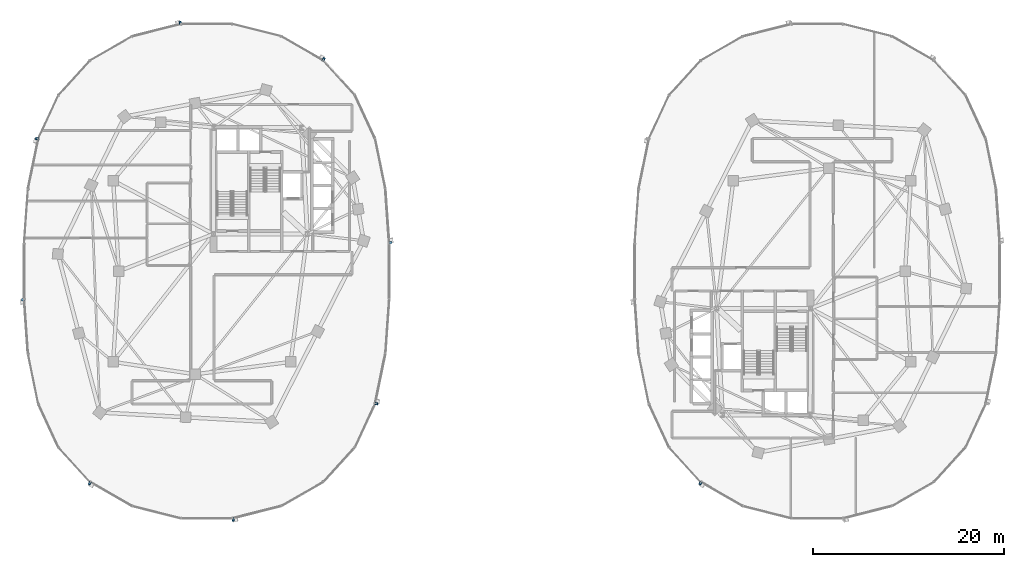
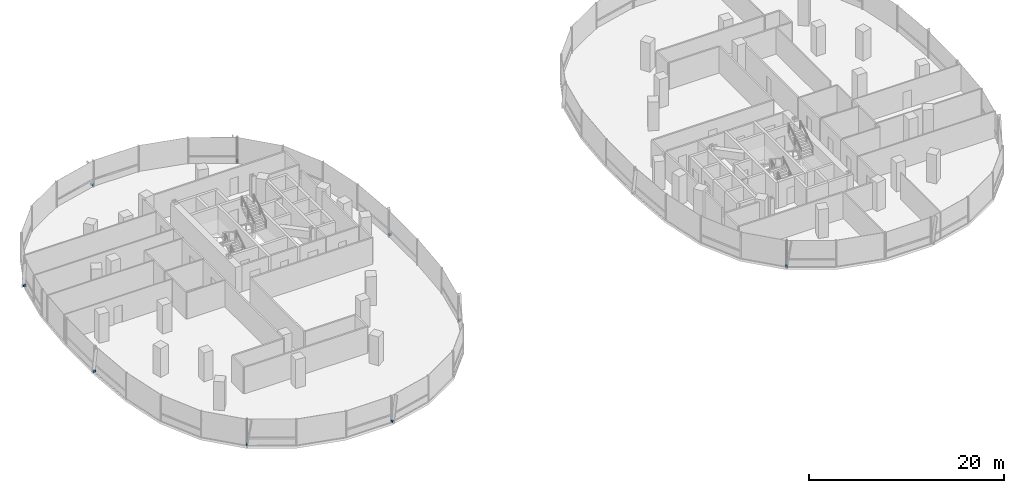
# One storey, part 15 of 21: 9 discrete accessories.
"""IFC4 building model written with IfcOpenShell, lengths in metres."""

from ifc_helpers import new_model, si_unit, direction, frame, origin, origin_2d, place, context, subcontext, project, spatial, rectangle, extrude, material, type_object, element, save


model = new_model("IFC4")

# Units and contexts
model_context = context("Model", 3, precision=1e-05, world=origin(), true_north=direction((0.0, 1.0)))
body_context = subcontext(model_context, "Body", "Model", "MODEL_VIEW")
ifc_project = project(units=[si_unit("LENGTHUNIT", "METRE"), si_unit("AREAUNIT", "SQUARE_METRE"), si_unit("VOLUMEUNIT", "CUBIC_METRE"), si_unit("PLANEANGLEUNIT", "RADIAN"), si_unit("MASSUNIT", "GRAM", prefix="KILO"), si_unit("THERMODYNAMICTEMPERATUREUNIT", "KELVIN"), si_unit("POWERUNIT", "WATT")], contexts=[model_context])

# Site, building, storey
site_placement = place(None, origin())
site = spatial("IfcSite", under=ifc_project, at=site_placement, CompositionType="ELEMENT")
building_placement = place(site_placement, origin())
building = spatial("IfcBuilding", under=site, at=building_placement, Name="Cundina Bronze Exchange", CompositionType="ELEMENT")
storey_placement = place(building_placement, frame((0.0, 0.0, 89.0)))
storey = spatial("IfcBuildingStorey", under=building, at=storey_placement, Name="L22", CompositionType="ELEMENT", Elevation=89.0)

# Discrete accessories
ifc_material = material(Name="Anodised Bronze Aluminium 6063-T6", Category="aluminium")
discrete_accessory_type = type_object("IfcDiscreteAccessoryType", Name="ACC-BRK-FIN", PredefinedType="BRACKET", material=ifc_material)
for number, where, z_axis, x_axis, name in (
    (1, (-12.735595703125, 2.986083984375, 0.10009765625), (0.0, 0.0, 1.0), (-0.070278787473, 0.997527389113, 0.0), "L22 Fin Support Bracket 1"),
    (2, (-19.740478515625, 22.21875, 0.10009765625), (0.0, 0.0, 1.0), (-0.867105478933, 0.498124571171, 0.0), "L22 Fin Support Bracket 5"),
    (3, (-34.76025390625, 26.03173828125, 0.10009765625), (0.0, 0.0, 1.0), (-0.969488149345, -0.245138182011, 0.0), "L22 Fin Support Bracket 1"),
    (4, (-49.788330078125, 13.8896484375, 0.10009765625), (0.0, 0.0, 1.0), (-0.201419845156, -0.979505000486, 0.0), "L22 Fin Support Bracket 5"),
    (5, (-51.264404296875, -2.986083984375, 0.10009765625), (0.0, 0.0, 1.0), (0.070278787473, -0.997527389113, 0.0), "L22 Fin Support Bracket 1"),
    (6, (-44.259521484375, -22.21875, 0.10009765625), (0.0, 0.0, 1.0), (0.867105478933, -0.498124571171, 0.0), "L22 Fin Support Bracket 5"),
    (7, (-29.23974609375, -26.03173828125, 0.10009765625), (0.0, 0.0, 1.0), (0.969488149345, 0.245138182011, 0.0), "L22 Fin Support Bracket 1"),
    (8, (-14.211669921875, -13.8896484375, 0.10009765625), (0.0, 0.0, 1.0), (0.201419845156, 0.979505000486, 0.0), "L22 Fin Support Bracket 5"),
    (9, (19.740478515625, -22.21875, 0.10009765625), (0.0, 0.0, 1.0), (0.867105478933, -0.498124571171, 0.0), "L22 Fin Support Bracket 5"),
):
    element("IfcDiscreteAccessory", number, at=place(storey_placement, frame(where, z_axis=z_axis, x_axis=x_axis)), inside=storey, type_object=discrete_accessory_type, Name=name, PredefinedType="BRACKET", context=body_context, shape_type="SweptSolid", body=[
        extrude(rectangle(XDim=0.219970703125, YDim=0.320068359375, at=origin_2d()), origin(), (0.0, 0.0, 1.0), 0.239990234375),
    ])

save(model, "model.ifc")
